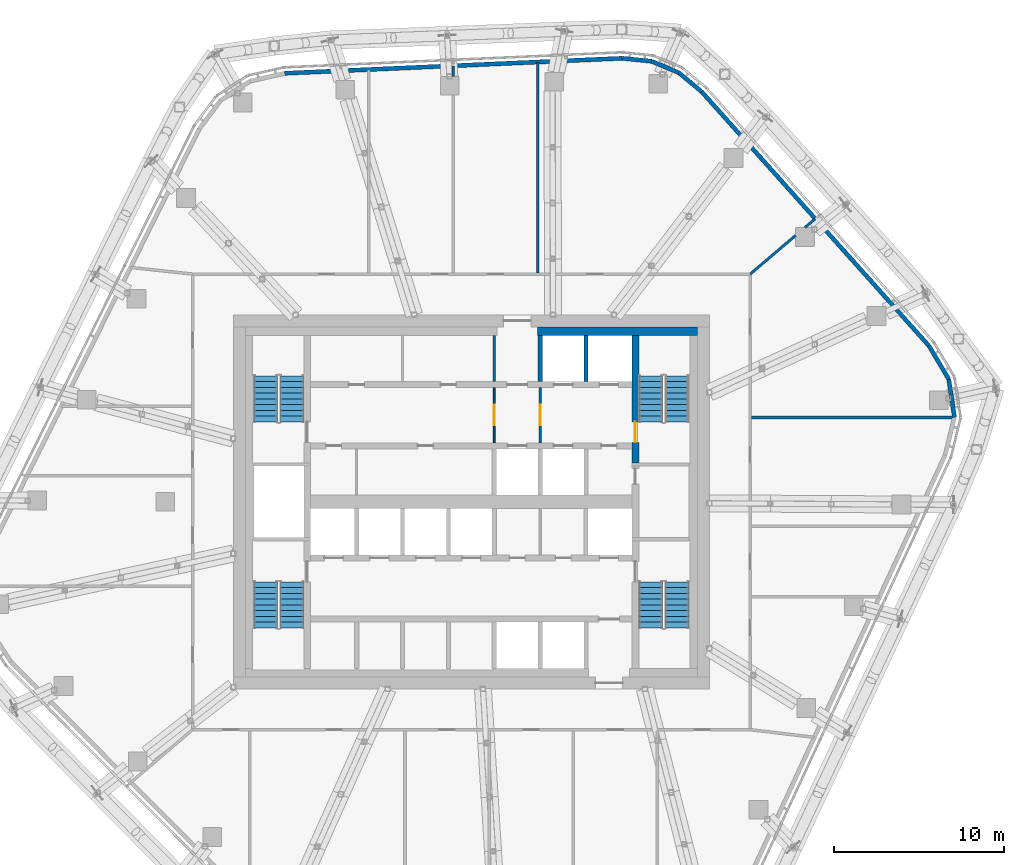
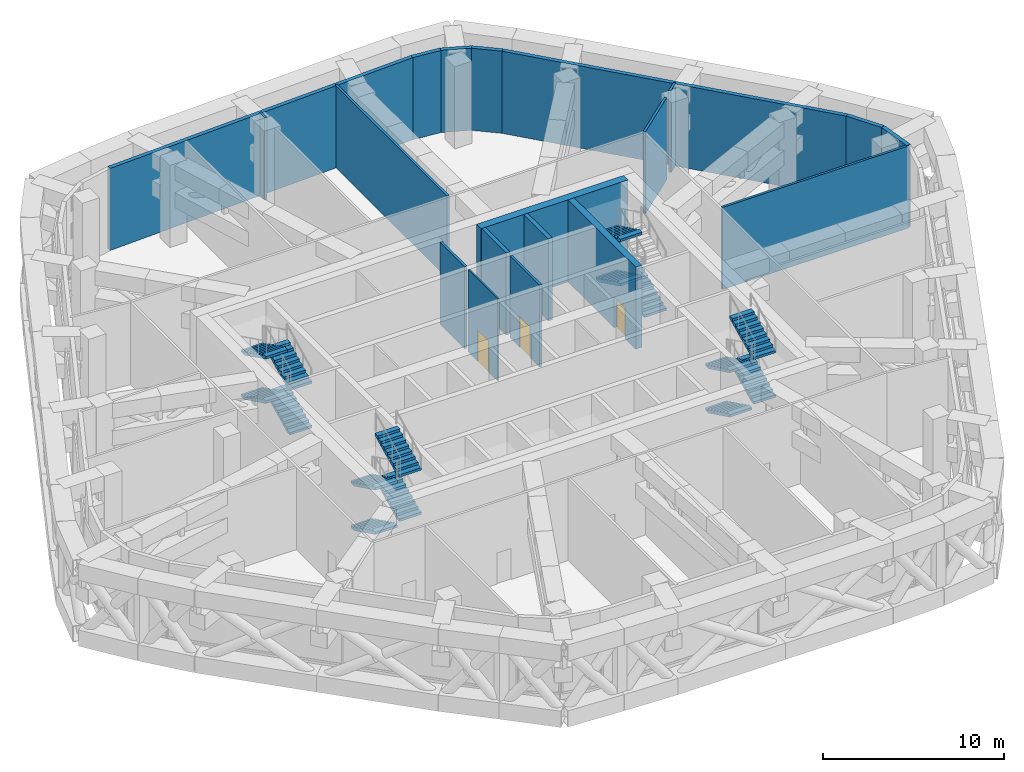
# One storey, part 18 of 31: 19 walls, 15 stair flights, 3 doors, 3 openings, 4 elements without a shape of their own.
"""IFC4 building model written with IfcOpenShell, lengths in metres."""

from ifc_helpers import new_model, si_unit, direction, frame, frame_2d, origin, place, context, subcontext, project, spatial, polyline, rectangle, outline, extrude, material, layer, layer_set, type_object, element, fill, aggregate, save


model = new_model("IFC4")

# Units and contexts
model_context = context("Model", 3, precision=1e-05, world=origin(), true_north=direction((0.0, 1.0)))
body_context = subcontext(model_context, "Body", "Model", "MODEL_VIEW")
ifc_project = project(units=[si_unit("LENGTHUNIT", "METRE"), si_unit("AREAUNIT", "SQUARE_METRE"), si_unit("VOLUMEUNIT", "CUBIC_METRE"), si_unit("PLANEANGLEUNIT", "RADIAN"), si_unit("MASSUNIT", "GRAM", prefix="KILO")], contexts=[model_context])

# Site, building, storey
site_placement = place(None, origin())
site = spatial("IfcSite", under=ifc_project, at=site_placement, CompositionType="ELEMENT")
building_placement = place(site_placement, origin())
building = spatial("IfcBuilding", under=site, at=building_placement, Name="Dongbaek Canopy Tower", CompositionType="ELEMENT")
storey_placement = place(building_placement, frame((0.0, 0.0, 283.199951171875)))
storey = spatial("IfcBuildingStorey", under=building, at=storey_placement, Name="L60", CompositionType="ELEMENT", Elevation=283.199951171875)

# Walls
ifc_material_1 = material(Name="Concrete C60/75", Category="concrete")
ifc_layer_1 = layer(ifc_material_1, 0.5)
ifc_layer_set_1 = layer_set([ifc_layer_1], Name="Core wall lining 500 Concrete C60/75")
wall_type_1 = type_object("IfcWallType", Name="Core wall lining 500 Concrete C60/75", PredefinedType="SHEAR", material=ifc_layer_set_1)
wall_1_placement = place(storey_placement, frame((3.89990234375, 10.050048828125, 0.0), z_axis=(0.0, 0.0, 1.0), x_axis=(1.0, 0.0, 0.0)))
element("IfcWall", 1, at=wall_1_placement, inside=storey, type_object=wall_type_1, Name="Core wall lining", PredefinedType="SHEAR", context=body_context, shape_type="SweptSolid", body=[
    extrude(rectangle(XDim=9.400146484375, YDim=0.5, at=frame_2d((4.7001953125, 0.0))), origin(), (0.0, 0.0, 1.0), 5.550048828125),
])
ifc_material_2 = material(Name="Gypsum board partition, steel stud, 2 x 15 mm fire board", Category="steel")
ifc_layer_2 = layer(ifc_material_2, 0.14990234375)
ifc_layer_set_2 = layer_set([ifc_layer_2], Name="Fire-rated partition 150 gypsum board")
wall_type_2 = type_object("IfcWallType", Name="Fire-rated partition 150 gypsum board", PredefinedType="PARTITIONING", material=ifc_layer_set_2)
wall_2_placement = place(storey_placement, frame((16.47509765625, 4.964111328125, 0.0), z_axis=(0.0, 0.0, 1.0), x_axis=(1.0, 0.0, 0.0)))
element("IfcWall", 2, at=wall_2_placement, inside=storey, type_object=wall_type_2, Name="Corridor partition", PredefinedType="PARTITIONING", context=body_context, shape_type="SweptSolid", body=[
    extrude(rectangle(XDim=11.92529296875, YDim=0.14990234375, at=frame_2d((5.962646484375, 0.0))), origin(), (0.0, 0.0, 1.0), 5.550048828125),
])
wall_3_placement = place(storey_placement, frame((16.400146484375, 13.39990234375, 0.0), z_axis=(0.0, 0.0, 1.0), x_axis=(0.761994228547, 0.647583813618, 0.0)))
element("IfcWall", 3, at=wall_3_placement, inside=storey, type_object=wall_type_2, Name="Corridor partition", PredefinedType="PARTITIONING", context=body_context, shape_type="SweptSolid", body=[
    extrude(rectangle(XDim=3.51025390625, YDim=0.14990234375, at=frame_2d((1.755126953125, 0.0))), origin(), (0.0, 0.0, 1.0), 5.550048828125),
])
wall_4_placement = place(storey_placement, frame((19.6171875, 16.134033203125, 0.0), z_axis=(0.0, 0.0, 1.0), x_axis=(0.762069188158, 0.647495600341, 0.0)))
element("IfcWall", 4, at=wall_4_placement, inside=storey, type_object=wall_type_2, Name="Corridor partition", PredefinedType="PARTITIONING", context=body_context, shape_type="SweptSolid", body=[
    extrude(rectangle(XDim=0.788330078125, YDim=0.14990234375, at=frame_2d((0.39404296875, 0.0))), origin(), (0.0, 0.0, 1.0), 5.550048828125),
])
wall_5_placement = place(storey_placement, frame((3.910888671875, 13.47509765625, 0.0), z_axis=(0.0, 0.0, 1.0), x_axis=(0.0, 1.0, 0.0)))
element("IfcWall", 5, at=wall_5_placement, inside=storey, type_object=wall_type_2, Name="Corridor partition", PredefinedType="PARTITIONING", context=body_context, shape_type="SweptSolid", body=[
    extrude(rectangle(XDim=12.382568359375, YDim=0.14990234375, at=frame_2d((6.19140625, 0.0))), origin(), (0.0, 0.0, 1.0), 5.550048828125),
])
wall_6_placement = place(storey_placement, frame((-1.056884765625, 25.029052734375, 0.0), z_axis=(0.0, 0.0, 1.0), x_axis=(0.0, 1.0, 0.0)))
element("IfcWall", 6, at=wall_6_placement, inside=storey, type_object=wall_type_2, Name="Corridor partition", PredefinedType="PARTITIONING", context=body_context, shape_type="SweptSolid", body=[
    extrude(rectangle(XDim=0.607666015625, YDim=0.14990234375, at=frame_2d((0.3037109375, 0.0))), origin(), (0.0, 0.0, 1.0), 5.550048828125),
])

# Wall, opening, door
wall_7_placement = place(storey_placement, frame((4.050048828125, 6.72509765625, 0.0), z_axis=(0.0, 0.0, 1.0), x_axis=(0.0, -1.0, 0.0)))
wall_7 = element("IfcWall", 7, at=wall_7_placement, inside=storey, type_object=wall_type_2, Name="Fire lobby partition", PredefinedType="PARTITIONING", context=body_context, shape_type="SweptSolid", body=[
    extrude(rectangle(XDim=3.25, YDim=0.14990234375, at=frame_2d((1.625, 0.0))), origin(), (0.0, 0.0, 1.0), 5.550048828125),
])
opening_1_placement = place(wall_7_placement, frame((1.02490234375, 0.0, 0.0)))
opening_1 = element("IfcOpeningElement", 8, at=opening_1_placement, cuts=wall_7, Name="Opening L60-D045", PredefinedType="OPENING", context=body_context, shape_type="SweptSolid", body=[
    extrude(rectangle(XDim=1.199951171875, YDim=2.10009765625, at=frame_2d((0.60009765625, 1.050048828125))), frame((0.0, 0.0849609375, 0.0), z_axis=(0.0, -1.0, 0.0), x_axis=(1.0, 0.0, 0.0)), (0.0, 0.0, 1.0), 0.169921875),
])
ifc_material_3 = material(Name="Steel", Category="steel")
door_type_1 = type_object("IfcDoorType", Name="Fire lobby door 1200 x 2100", OperationType="SINGLE_SWING_LEFT", PredefinedType="DOOR", material=ifc_material_3)
door_1_placement = place(opening_1_placement, origin())
door_1 = element("IfcDoor", 9, at=door_1_placement, inside=storey, type_object=door_type_1, Name="Door L60-D045", OperationType="SINGLE_SWING_RIGHT", OverallHeight=2.10009765625, OverallWidth=1.199951171875, PredefinedType="DOOR", context=body_context, shape_type="SweptSolid", body=[
    extrude(rectangle(XDim=1.199951171875, YDim=2.10009765625, at=frame_2d((0.60009765625, 1.050048828125))), frame((0.0, 0.02490234375, 0.0), z_axis=(0.0, -1.0, 0.0), x_axis=(1.0, 0.0, 0.0)), (0.0, 0.0, 1.0), 0.050048828125),
])
fill(opening_1, door_1)

# Walls
wall_8_placement = place(storey_placement, frame((1.35009765625, 7.074951171875, 0.0), z_axis=(0.0, 0.0, 1.0), x_axis=(0.0, 1.0, 0.0)))
element("IfcWall", 10, at=wall_8_placement, inside=storey, type_object=wall_type_2, Name="Fire lobby partition", PredefinedType="PARTITIONING", context=body_context, shape_type="SweptSolid", body=[
    extrude(rectangle(XDim=2.72509765625, YDim=0.14990234375, at=frame_2d((1.362548828125, 0.0))), origin(), (0.0, 0.0, 1.0), 5.550048828125),
])
ifc_material_4 = material(Name="Concrete C40/50", Category="concrete")
ifc_layer_3 = layer(ifc_material_4, 0.25)
ifc_layer_set_3 = layer_set([ifc_layer_3], Name="Lift shaft wall 250 Concrete C40/50")
wall_type_3 = type_object("IfcWallType", Name="Lift shaft wall 250 Concrete C40/50", PredefinedType="SOLIDWALL", material=ifc_layer_set_3)
for number, where, z_axis, x_axis, name in (
    (11, (6.75, 7.074951171875, 0.0), (0.0, 0.0, 1.0), (0.0, 1.0, 0.0), "Lift shaft wall"),
    (12, (4.050048828125, 7.074951171875, 0.0), (0.0, 0.0, 1.0), (0.0, 1.0, 0.0), "Lift shaft wall"),
):
    element("IfcWall", number, at=place(storey_placement, frame(where, z_axis=z_axis, x_axis=x_axis)), inside=storey, type_object=wall_type_3, Name=name, PredefinedType="SOLIDWALL", context=body_context, shape_type="SweptSolid", body=[
        extrude(rectangle(XDim=2.72509765625, YDim=0.25, at=frame_2d((1.362548828125, 0.0))), origin(), (0.0, 0.0, 1.0), 5.550048828125),
    ])

# Wall, opening, door
ifc_material_5 = material(Name="Gypsum board partition, steel stud, 2 x 12.5 mm board", Category="steel")
ifc_layer_4 = layer(ifc_material_5, 0.10009765625)
ifc_layer_set_4 = layer_set([ifc_layer_4], Name="Partition 100 gypsum board")
wall_type_4 = type_object("IfcWallType", Name="Partition 100 gypsum board", PredefinedType="PARTITIONING", material=ifc_layer_set_4)
wall_9_placement = place(storey_placement, frame((1.35009765625, 6.72509765625, 0.0), z_axis=(0.0, 0.0, 1.0), x_axis=(0.0, -1.0, 0.0)))
wall_9 = element("IfcWall", 13, at=wall_9_placement, inside=storey, type_object=wall_type_4, Name="Core partition", PredefinedType="PARTITIONING", context=body_context, shape_type="SweptSolid", body=[
    extrude(rectangle(XDim=3.25, YDim=0.10009765625, at=frame_2d((1.625, 0.0))), origin(), (0.0, 0.0, 1.0), 5.550048828125),
])
opening_2_placement = place(wall_9_placement, frame((1.02490234375, 0.0, 0.0)))
opening_2 = element("IfcOpeningElement", 14, at=opening_2_placement, cuts=wall_9, Name="Opening L60-D044", PredefinedType="OPENING", context=body_context, shape_type="SweptSolid", body=[
    extrude(rectangle(XDim=1.199951171875, YDim=2.10009765625, at=frame_2d((0.60009765625, 1.050048828125))), frame((0.0, 0.06005859375, 0.0), z_axis=(0.0, -1.0, 0.0), x_axis=(1.0, 0.0, 0.0)), (0.0, 0.0, 1.0), 0.1201171875),
])
door_2_placement = place(opening_2_placement, origin())
door_2 = element("IfcDoor", 15, at=door_2_placement, inside=storey, type_object=door_type_1, Name="Door L60-D044", OperationType="SINGLE_SWING_LEFT", OverallHeight=2.10009765625, OverallWidth=1.199951171875, PredefinedType="DOOR", context=body_context, shape_type="SweptSolid", body=[
    extrude(rectangle(XDim=1.199951171875, YDim=2.10009765625, at=frame_2d((0.60009765625, 1.050048828125))), frame((0.0, 0.02490234375, 0.0), z_axis=(0.0, -1.0, 0.0), x_axis=(1.0, 0.0, 0.0)), (0.0, 0.0, 1.0), 0.050048828125),
])
fill(opening_2, door_2)

# Walls
ifc_material_6 = material(Name="Pale metal cladding on insulated wall")
ifc_layer_5 = layer(ifc_material_6, 0.25)
ifc_layer_set_5 = layer_set([ifc_layer_5], Name="Plant floor wall 250")
wall_type_5 = type_object("IfcWallType", Name="Plant floor wall 250", PredefinedType="SOLIDWALL", material=ifc_layer_set_5)
wall_10_placement = place(storey_placement, frame((28.421875, 4.968994140625, 0.0), z_axis=(0.0, 0.0, 1.0), x_axis=(-0.147358250541, 0.989083184569, 0.0)))
element("IfcWall", 16, at=wall_10_placement, inside=storey, type_object=wall_type_5, Name="Plant wall L60 K0 2", PredefinedType="SOLIDWALL", context=body_context, shape_type="SweptSolid", body=[
    extrude(rectangle(XDim=2.273193359375, YDim=0.25, at=frame_2d((1.13671875, 0.0))), origin(), (0.0, 0.0, 1.0), 5.550048828125),
])
wall_11_placement = place(storey_placement, frame((28.0869140625, 7.21728515625, 0.0), z_axis=(0.0, 0.0, 1.0), x_axis=(-0.510590635496, 0.859823937178, 0.0)))
element("IfcWall", 17, at=wall_11_placement, inside=storey, type_object=wall_type_5, Name="Plant wall L60 K0 3", PredefinedType="SOLIDWALL", context=body_context, shape_type="SweptSolid", body=[
    extrude(rectangle(XDim=2.283203125, YDim=0.25, at=frame_2d((1.1416015625, 0.0))), origin(), (0.0, 0.0, 1.0), 5.550048828125),
])
wall_12_placement = place(storey_placement, frame((26.921142578125, 9.180419921875, 0.0), z_axis=(0.0, 0.0, 1.0), x_axis=(-0.666670693315, 0.745352390936, 0.0)))
element("IfcWall", 18, at=wall_12_placement, inside=storey, type_object=wall_type_5, Name="Plant wall L60 F0 1", PredefinedType="SOLIDWALL", context=body_context, shape_type="SweptSolid", body=[
    extrude(rectangle(XDim=20.060302734375, YDim=0.25, at=frame_2d((10.0302734375, 0.0))), origin(), (0.0, 0.0, 1.0), 5.550048828125),
])
wall_13_placement = place(storey_placement, frame((13.547607421875, 24.13232421875, 0.0), z_axis=(0.0, 0.0, 1.0), x_axis=(-0.769001728145, 0.639246698943, 0.0)))
element("IfcWall", 19, at=wall_13_placement, inside=storey, type_object=wall_type_5, Name="Plant wall L60 K1 1", PredefinedType="SOLIDWALL", context=body_context, shape_type="SweptSolid", body=[
    extrude(rectangle(XDim=1.742431640625, YDim=0.25, at=frame_2d((0.87109375, 0.0))), origin(), (0.0, 0.0, 1.0), 5.550048828125),
])
wall_14_placement = place(storey_placement, frame((12.207763671875, 25.24609375, 0.0), z_axis=(0.0, 0.0, 1.0), x_axis=(-0.921730707326, 0.387830508304, 0.0)))
element("IfcWall", 20, at=wall_14_placement, inside=storey, type_object=wall_type_5, Name="Plant wall L60 K1 2", PredefinedType="SOLIDWALL", context=body_context, shape_type="SweptSolid", body=[
    extrude(rectangle(XDim=1.73486328125, YDim=0.25, at=frame_2d((0.867431640625, 0.0))), origin(), (0.0, 0.0, 1.0), 5.550048828125),
])
wall_15_placement = place(storey_placement, frame((10.608642578125, 25.9189453125, 0.0), z_axis=(0.0, 0.0, 1.0), x_axis=(-0.99468140225, 0.102999553487, 0.0)))
element("IfcWall", 21, at=wall_15_placement, inside=storey, type_object=wall_type_5, Name="Plant wall L60 K1 3", PredefinedType="SOLIDWALL", context=body_context, shape_type="SweptSolid", body=[
    extrude(rectangle(XDim=1.7421875, YDim=0.25, at=frame_2d((0.87109375, 0.0))), origin(), (0.0, 0.0, 1.0), 5.550048828125),
])
wall_16_placement = place(storey_placement, frame((8.875732421875, 26.098388671875, 0.0), z_axis=(0.0, 0.0, 1.0), x_axis=(-0.999012910202, -0.044420774975, 0.0)))
element("IfcWall", 22, at=wall_16_placement, inside=storey, type_object=wall_type_5, Name="Plant wall L60 F1 1", PredefinedType="SOLIDWALL", context=body_context, shape_type="SweptSolid", body=[
    extrude(rectangle(XDim=19.873779296875, YDim=0.25, at=frame_2d((9.93701171875, 0.0))), origin(), (0.0, 0.0, 1.0), 5.550048828125),
])

# Wall, opening, door
ifc_material_7 = material(Name="Concrete C60/75", Category="concrete")
ifc_layer_6 = layer(ifc_material_7, 0.39990234375)
ifc_layer_set_6 = layer_set([ifc_layer_6], Name="Stair wall 400 Concrete C60/75")
wall_type_6 = type_object("IfcWallType", Name="Stair wall 400 Concrete C60/75", PredefinedType="SHEAR", material=ifc_layer_set_6)
wall_17_placement = place(storey_placement, frame((9.64990234375, 9.800048828125, 0.0), z_axis=(0.0, 0.0, 1.0), x_axis=(0.0, -1.0, 0.0)))
wall_17 = element("IfcWall", 23, at=wall_17_placement, inside=storey, type_object=wall_type_6, Name="Stair wall", PredefinedType="SHEAR", context=body_context, shape_type="SweptSolid", body=[
    extrude(rectangle(XDim=7.5, YDim=0.39990234375, at=frame_2d((3.75, 0.0))), origin(), (0.0, 0.0, 1.0), 5.550048828125),
])
opening_3_placement = place(wall_17_placement, frame((5.10009765625, 0.0, 0.0)))
opening_3 = element("IfcOpeningElement", 24, at=opening_3_placement, cuts=wall_17, Name="Opening L60-D040", PredefinedType="OPENING", context=body_context, shape_type="SweptSolid", body=[
    extrude(rectangle(XDim=1.199951171875, YDim=2.10009765625, at=frame_2d((0.60009765625, 1.050048828125))), frame((0.0, 0.2099609375, 0.0), z_axis=(0.0, -1.0, 0.0), x_axis=(1.0, 0.0, 0.0)), (0.0, 0.0, 1.0), 0.419921875),
])
ifc_material_8 = material(Name="Steel", Category="steel")
door_type_2 = type_object("IfcDoorType", Name="Stair door 1200 x 2100", OperationType="SINGLE_SWING_LEFT", PredefinedType="DOOR", material=ifc_material_8)
door_3_placement = place(opening_3_placement, origin())
door_3 = element("IfcDoor", 25, at=door_3_placement, inside=storey, type_object=door_type_2, Name="Stair A door", OperationType="SINGLE_SWING_LEFT", OverallHeight=2.10009765625, OverallWidth=1.199951171875, PredefinedType="DOOR", context=body_context, shape_type="SweptSolid", body=[
    extrude(rectangle(XDim=1.199951171875, YDim=2.10009765625, at=frame_2d((0.60009765625, 1.050048828125))), frame((0.0, 0.02490234375, 0.0), z_axis=(0.0, -1.0, 0.0), x_axis=(1.0, 0.0, 0.0)), (0.0, 0.0, 1.0), 0.050048828125),
])
fill(opening_3, door_3)

# Stair, stair flights
ifc_material_9 = material(Name="Concrete C40/50", Category="concrete")
stair_type = type_object("IfcStairType", Name="Core exit stair", PredefinedType="HALF_TURN_STAIR", material=ifc_material_9)
stair_1_placement = place(storey_placement, origin())
stair_1 = element("IfcStair", 26, at=stair_1_placement, inside=storey, type_object=stair_type, Name="L60 exit stair A", PredefinedType="HALF_TURN_STAIR")
ifc_material_10 = material(Name="Concrete C40/50", Category="concrete")
ifc_layer_7 = layer(ifc_material_10, 0.14990234375)
ifc_layer_set_7 = layer_set([ifc_layer_7], Name="Core stair flight 150 waist")
stair_flight_type = type_object("IfcStairFlightType", Name="Core stair flight 150 waist", PredefinedType="STRAIGHT", material=ifc_layer_set_7)
stair_flight_1_placement = place(storey_placement, frame((12.10009765625, 4.699951171875, 0.0), z_axis=(0.0, 0.0, 1.0), x_axis=(0.0, 1.0, 0.0)))
stair_flight_1 = element("IfcStairFlight", 27, at=stair_flight_1_placement, type_object=stair_flight_type, Name="ST-A flight 1", NumberOfRisers=9, NumberOfTreads=8, PredefinedType="STRAIGHT", RiserHeight=0.166666667, TreadLength=0.34, context=body_context, shape_type="SweptSolid", body=[
    extrude(outline(polyline([(0.0, 0.0), (0.0, 0.166748046875), (0.340087890625, 0.166748046875), (0.340087890625, 0.333251953125), (0.679931640625, 0.333251953125), (0.679931640625, 0.5), (1.02001953125, 0.5), (1.02001953125, 0.666748046875), (1.360107421875, 0.666748046875), (1.360107421875, 0.833251953125), (1.699951171875, 0.833251953125), (1.699951171875, 1.0), (2.0400390625, 1.0), (2.0400390625, 1.166748046875), (2.3798828125, 1.166748046875), (2.3798828125, 1.333251953125), (2.719970703125, 1.333251953125), (2.719970703125, 1.5), (2.719970703125, 1.16650390625), (0.340576171875, 0.0), (0.0, 0.0)])), frame((0.0, 0.699951171875, 0.0), z_axis=(0.0, -1.0, 0.0), x_axis=(1.0, 0.0, 0.0)), (0.0, 0.0, 1.0), 1.39990234375),
])
stair_flight_2_placement = place(storey_placement, frame((10.550048828125, 7.419921875, 1.5), z_axis=(0.0, 0.0, 1.0), x_axis=(0.0, -1.0, 0.0)))
stair_flight_2 = element("IfcStairFlight", 28, at=stair_flight_2_placement, type_object=stair_flight_type, Name="ST-A flight 2", NumberOfRisers=9, NumberOfTreads=8, PredefinedType="STRAIGHT", RiserHeight=0.166666667, TreadLength=0.34, context=body_context, shape_type="SweptSolid", body=[
    extrude(outline(polyline([(0.0, 0.0), (0.0, 0.166748046875), (0.340087890625, 0.166748046875), (0.340087890625, 0.333251953125), (0.679931640625, 0.333251953125), (0.679931640625, 0.5), (1.02001953125, 0.5), (1.02001953125, 0.666748046875), (1.360107421875, 0.666748046875), (1.360107421875, 0.833251953125), (1.699951171875, 0.833251953125), (1.699951171875, 1.0), (2.0400390625, 1.0), (2.0400390625, 1.166748046875), (2.3798828125, 1.166748046875), (2.3798828125, 1.333251953125), (2.719970703125, 1.333251953125), (2.719970703125, 1.5), (2.719970703125, 1.16650390625), (0.340576171875, 0.0), (0.0, 0.0)])), frame((0.0, 0.699951171875, 0.0), z_axis=(0.0, -1.0, 0.0), x_axis=(1.0, 0.0, 0.0)), (0.0, 0.0, 1.0), 1.39990234375),
])
stair_flight_3_placement = place(storey_placement, frame((10.550048828125, 7.419921875, 4.5), z_axis=(0.0, 0.0, 1.0), x_axis=(0.0, -1.0, 0.0)))
stair_flight_3 = element("IfcStairFlight", 29, at=stair_flight_3_placement, type_object=stair_flight_type, Name="ST-A flight 4", NumberOfRisers=9, NumberOfTreads=8, PredefinedType="STRAIGHT", RiserHeight=0.166666667, TreadLength=0.34, context=body_context, shape_type="SweptSolid", body=[
    extrude(outline(polyline([(0.0, 0.0), (0.0, 0.166748046875), (0.340087890625, 0.166748046875), (0.340087890625, 0.333251953125), (0.679931640625, 0.333251953125), (0.679931640625, 0.5), (1.02001953125, 0.5), (1.02001953125, 0.666748046875), (1.360107421875, 0.666748046875), (1.360107421875, 0.833251953125), (1.699951171875, 0.833251953125), (1.699951171875, 1.0), (2.0400390625, 1.0), (2.0400390625, 1.166748046875), (2.3798828125, 1.166748046875), (2.3798828125, 1.333251953125), (2.719970703125, 1.333251953125), (2.719970703125, 1.5), (2.719970703125, 1.16650390625), (0.340576171875, 0.0), (0.0, 0.0)])), frame((0.0, 0.699951171875, 0.0), z_axis=(0.0, -1.0, 0.0), x_axis=(1.0, 0.0, 0.0)), (0.0, 0.0, 1.0), 1.39990234375),
])
aggregate(stair_1, [stair_flight_1, stair_flight_2, stair_flight_3])

stair_2_placement = place(storey_placement, origin())
stair_2 = element("IfcStair", 30, at=stair_2_placement, inside=storey, type_object=stair_type, Name="L60 exit stair C", PredefinedType="HALF_TURN_STAIR")
stair_flight_4_placement = place(storey_placement, frame((-10.550048828125, 4.699951171875, 0.0), z_axis=(0.0, 0.0, 1.0), x_axis=(0.0, 1.0, 0.0)))
stair_flight_4 = element("IfcStairFlight", 31, at=stair_flight_4_placement, type_object=stair_flight_type, Name="ST-C flight 1", NumberOfRisers=9, NumberOfTreads=8, PredefinedType="STRAIGHT", RiserHeight=0.166666667, TreadLength=0.34, context=body_context, shape_type="SweptSolid", body=[
    extrude(outline(polyline([(0.0, 0.0), (0.0, 0.166748046875), (0.340087890625, 0.166748046875), (0.340087890625, 0.333251953125), (0.679931640625, 0.333251953125), (0.679931640625, 0.5), (1.02001953125, 0.5), (1.02001953125, 0.666748046875), (1.360107421875, 0.666748046875), (1.360107421875, 0.833251953125), (1.699951171875, 0.833251953125), (1.699951171875, 1.0), (2.0400390625, 1.0), (2.0400390625, 1.166748046875), (2.3798828125, 1.166748046875), (2.3798828125, 1.333251953125), (2.719970703125, 1.333251953125), (2.719970703125, 1.5), (2.719970703125, 1.16650390625), (0.340576171875, 0.0), (0.0, 0.0)])), frame((0.0, 0.699951171875, 0.0), z_axis=(0.0, -1.0, 0.0), x_axis=(1.0, 0.0, 0.0)), (0.0, 0.0, 1.0), 1.39990234375),
])
stair_flight_5_placement = place(storey_placement, frame((-12.10009765625, 7.419921875, 1.5), z_axis=(0.0, 0.0, 1.0), x_axis=(0.0, -1.0, 0.0)))
stair_flight_5 = element("IfcStairFlight", 32, at=stair_flight_5_placement, type_object=stair_flight_type, Name="ST-C flight 2", NumberOfRisers=9, NumberOfTreads=8, PredefinedType="STRAIGHT", RiserHeight=0.166666667, TreadLength=0.34, context=body_context, shape_type="SweptSolid", body=[
    extrude(outline(polyline([(0.0, 0.0), (0.0, 0.166748046875), (0.340087890625, 0.166748046875), (0.340087890625, 0.333251953125), (0.679931640625, 0.333251953125), (0.679931640625, 0.5), (1.02001953125, 0.5), (1.02001953125, 0.666748046875), (1.360107421875, 0.666748046875), (1.360107421875, 0.833251953125), (1.699951171875, 0.833251953125), (1.699951171875, 1.0), (2.0400390625, 1.0), (2.0400390625, 1.166748046875), (2.3798828125, 1.166748046875), (2.3798828125, 1.333251953125), (2.719970703125, 1.333251953125), (2.719970703125, 1.5), (2.719970703125, 1.16650390625), (0.340576171875, 0.0), (0.0, 0.0)])), frame((0.0, 0.699951171875, 0.0), z_axis=(0.0, -1.0, 0.0), x_axis=(1.0, 0.0, 0.0)), (0.0, 0.0, 1.0), 1.39990234375),
])
stair_flight_6_placement = place(storey_placement, frame((-10.550048828125, 4.699951171875, 3.0), z_axis=(0.0, 0.0, 1.0), x_axis=(0.0, 1.0, 0.0)))
stair_flight_6 = element("IfcStairFlight", 33, at=stair_flight_6_placement, type_object=stair_flight_type, Name="ST-C flight 3", NumberOfRisers=9, NumberOfTreads=8, PredefinedType="STRAIGHT", RiserHeight=0.166666667, TreadLength=0.34, context=body_context, shape_type="SweptSolid", body=[
    extrude(outline(polyline([(0.0, 0.0), (0.0, 0.166748046875), (0.340087890625, 0.166748046875), (0.340087890625, 0.333251953125), (0.679931640625, 0.333251953125), (0.679931640625, 0.5), (1.02001953125, 0.5), (1.02001953125, 0.666748046875), (1.360107421875, 0.666748046875), (1.360107421875, 0.833251953125), (1.699951171875, 0.833251953125), (1.699951171875, 1.0), (2.0400390625, 1.0), (2.0400390625, 1.166748046875), (2.3798828125, 1.166748046875), (2.3798828125, 1.333251953125), (2.719970703125, 1.333251953125), (2.719970703125, 1.5), (2.719970703125, 1.16650390625), (0.340576171875, 0.0), (0.0, 0.0)])), frame((0.0, 0.699951171875, 0.0), z_axis=(0.0, -1.0, 0.0), x_axis=(1.0, 0.0, 0.0)), (0.0, 0.0, 1.0), 1.39990234375),
])
stair_flight_7_placement = place(storey_placement, frame((-12.10009765625, 7.419921875, 4.5), z_axis=(0.0, 0.0, 1.0), x_axis=(0.0, -1.0, 0.0)))
stair_flight_7 = element("IfcStairFlight", 34, at=stair_flight_7_placement, type_object=stair_flight_type, Name="ST-C flight 4", NumberOfRisers=9, NumberOfTreads=8, PredefinedType="STRAIGHT", RiserHeight=0.166666667, TreadLength=0.34, context=body_context, shape_type="SweptSolid", body=[
    extrude(outline(polyline([(0.0, 0.0), (0.0, 0.166748046875), (0.340087890625, 0.166748046875), (0.340087890625, 0.333251953125), (0.679931640625, 0.333251953125), (0.679931640625, 0.5), (1.02001953125, 0.5), (1.02001953125, 0.666748046875), (1.360107421875, 0.666748046875), (1.360107421875, 0.833251953125), (1.699951171875, 0.833251953125), (1.699951171875, 1.0), (2.0400390625, 1.0), (2.0400390625, 1.166748046875), (2.3798828125, 1.166748046875), (2.3798828125, 1.333251953125), (2.719970703125, 1.333251953125), (2.719970703125, 1.5), (2.719970703125, 1.16650390625), (0.340576171875, 0.0), (0.0, 0.0)])), frame((0.0, 0.699951171875, 0.0), z_axis=(0.0, -1.0, 0.0), x_axis=(1.0, 0.0, 0.0)), (0.0, 0.0, 1.0), 1.39990234375),
])
aggregate(stair_2, [stair_flight_4, stair_flight_5, stair_flight_6, stair_flight_7])

stair_3_placement = place(storey_placement, origin())
stair_3 = element("IfcStair", 35, at=stair_3_placement, inside=storey, type_object=stair_type, Name="L60 exit stair B", PredefinedType="HALF_TURN_STAIR")
stair_flight_8_placement = place(storey_placement, frame((10.550048828125, -4.699951171875, 0.0), z_axis=(0.0, 0.0, 1.0), x_axis=(0.0, -1.0, 0.0)))
stair_flight_8 = element("IfcStairFlight", 36, at=stair_flight_8_placement, type_object=stair_flight_type, Name="ST-B flight 1", NumberOfRisers=9, NumberOfTreads=8, PredefinedType="STRAIGHT", RiserHeight=0.166666667, TreadLength=0.34, context=body_context, shape_type="SweptSolid", body=[
    extrude(outline(polyline([(0.0, 0.0), (0.0, 0.166748046875), (0.340087890625, 0.166748046875), (0.340087890625, 0.333251953125), (0.679931640625, 0.333251953125), (0.679931640625, 0.5), (1.02001953125, 0.5), (1.02001953125, 0.666748046875), (1.360107421875, 0.666748046875), (1.360107421875, 0.833251953125), (1.699951171875, 0.833251953125), (1.699951171875, 1.0), (2.0400390625, 1.0), (2.0400390625, 1.166748046875), (2.3798828125, 1.166748046875), (2.3798828125, 1.333251953125), (2.719970703125, 1.333251953125), (2.719970703125, 1.5), (2.719970703125, 1.16650390625), (0.340576171875, 0.0), (0.0, 0.0)])), frame((0.0, 0.699951171875, 0.0), z_axis=(0.0, -1.0, 0.0), x_axis=(1.0, 0.0, 0.0)), (0.0, 0.0, 1.0), 1.39990234375),
])
stair_flight_9_placement = place(storey_placement, frame((12.10009765625, -7.419921875, 1.5), z_axis=(0.0, 0.0, 1.0), x_axis=(0.0, 1.0, 0.0)))
stair_flight_9 = element("IfcStairFlight", 37, at=stair_flight_9_placement, type_object=stair_flight_type, Name="ST-B flight 2", NumberOfRisers=9, NumberOfTreads=8, PredefinedType="STRAIGHT", RiserHeight=0.166666667, TreadLength=0.34, context=body_context, shape_type="SweptSolid", body=[
    extrude(outline(polyline([(0.0, 0.0), (0.0, 0.166748046875), (0.340087890625, 0.166748046875), (0.340087890625, 0.333251953125), (0.679931640625, 0.333251953125), (0.679931640625, 0.5), (1.02001953125, 0.5), (1.02001953125, 0.666748046875), (1.360107421875, 0.666748046875), (1.360107421875, 0.833251953125), (1.699951171875, 0.833251953125), (1.699951171875, 1.0), (2.0400390625, 1.0), (2.0400390625, 1.166748046875), (2.3798828125, 1.166748046875), (2.3798828125, 1.333251953125), (2.719970703125, 1.333251953125), (2.719970703125, 1.5), (2.719970703125, 1.16650390625), (0.340576171875, 0.0), (0.0, 0.0)])), frame((0.0, 0.699951171875, 0.0), z_axis=(0.0, -1.0, 0.0), x_axis=(1.0, 0.0, 0.0)), (0.0, 0.0, 1.0), 1.39990234375),
])
stair_flight_10_placement = place(storey_placement, frame((10.550048828125, -4.699951171875, 3.0), z_axis=(0.0, 0.0, 1.0), x_axis=(0.0, -1.0, 0.0)))
stair_flight_10 = element("IfcStairFlight", 38, at=stair_flight_10_placement, type_object=stair_flight_type, Name="ST-B flight 3", NumberOfRisers=9, NumberOfTreads=8, PredefinedType="STRAIGHT", RiserHeight=0.166666667, TreadLength=0.34, context=body_context, shape_type="SweptSolid", body=[
    extrude(outline(polyline([(0.0, 0.0), (0.0, 0.166748046875), (0.340087890625, 0.166748046875), (0.340087890625, 0.333251953125), (0.679931640625, 0.333251953125), (0.679931640625, 0.5), (1.02001953125, 0.5), (1.02001953125, 0.666748046875), (1.360107421875, 0.666748046875), (1.360107421875, 0.833251953125), (1.699951171875, 0.833251953125), (1.699951171875, 1.0), (2.0400390625, 1.0), (2.0400390625, 1.166748046875), (2.3798828125, 1.166748046875), (2.3798828125, 1.333251953125), (2.719970703125, 1.333251953125), (2.719970703125, 1.5), (2.719970703125, 1.16650390625), (0.340576171875, 0.0), (0.0, 0.0)])), frame((0.0, 0.699951171875, 0.0), z_axis=(0.0, -1.0, 0.0), x_axis=(1.0, 0.0, 0.0)), (0.0, 0.0, 1.0), 1.39990234375),
])
stair_flight_11_placement = place(storey_placement, frame((12.10009765625, -7.419921875, 4.5), z_axis=(0.0, 0.0, 1.0), x_axis=(0.0, 1.0, 0.0)))
stair_flight_11 = element("IfcStairFlight", 39, at=stair_flight_11_placement, type_object=stair_flight_type, Name="ST-B flight 4", NumberOfRisers=9, NumberOfTreads=8, PredefinedType="STRAIGHT", RiserHeight=0.166666667, TreadLength=0.34, context=body_context, shape_type="SweptSolid", body=[
    extrude(outline(polyline([(0.0, 0.0), (0.0, 0.166748046875), (0.340087890625, 0.166748046875), (0.340087890625, 0.333251953125), (0.679931640625, 0.333251953125), (0.679931640625, 0.5), (1.02001953125, 0.5), (1.02001953125, 0.666748046875), (1.360107421875, 0.666748046875), (1.360107421875, 0.833251953125), (1.699951171875, 0.833251953125), (1.699951171875, 1.0), (2.0400390625, 1.0), (2.0400390625, 1.166748046875), (2.3798828125, 1.166748046875), (2.3798828125, 1.333251953125), (2.719970703125, 1.333251953125), (2.719970703125, 1.5), (2.719970703125, 1.16650390625), (0.340576171875, 0.0), (0.0, 0.0)])), frame((0.0, 0.699951171875, 0.0), z_axis=(0.0, -1.0, 0.0), x_axis=(1.0, 0.0, 0.0)), (0.0, 0.0, 1.0), 1.39990234375),
])
aggregate(stair_3, [stair_flight_8, stair_flight_9, stair_flight_10, stair_flight_11])

stair_4_placement = place(storey_placement, origin())
stair_4 = element("IfcStair", 40, at=stair_4_placement, inside=storey, type_object=stair_type, Name="L60 exit stair D", PredefinedType="HALF_TURN_STAIR")
stair_flight_12_placement = place(storey_placement, frame((-12.10009765625, -4.699951171875, 0.0), z_axis=(0.0, 0.0, 1.0), x_axis=(0.0, -1.0, 0.0)))
stair_flight_12 = element("IfcStairFlight", 41, at=stair_flight_12_placement, type_object=stair_flight_type, Name="ST-D flight 1", NumberOfRisers=9, NumberOfTreads=8, PredefinedType="STRAIGHT", RiserHeight=0.166666667, TreadLength=0.34, context=body_context, shape_type="SweptSolid", body=[
    extrude(outline(polyline([(0.0, 0.0), (0.0, 0.166748046875), (0.340087890625, 0.166748046875), (0.340087890625, 0.333251953125), (0.679931640625, 0.333251953125), (0.679931640625, 0.5), (1.02001953125, 0.5), (1.02001953125, 0.666748046875), (1.360107421875, 0.666748046875), (1.360107421875, 0.833251953125), (1.699951171875, 0.833251953125), (1.699951171875, 1.0), (2.0400390625, 1.0), (2.0400390625, 1.166748046875), (2.3798828125, 1.166748046875), (2.3798828125, 1.333251953125), (2.719970703125, 1.333251953125), (2.719970703125, 1.5), (2.719970703125, 1.16650390625), (0.340576171875, 0.0), (0.0, 0.0)])), frame((0.0, 0.699951171875, 0.0), z_axis=(0.0, -1.0, 0.0), x_axis=(1.0, 0.0, 0.0)), (0.0, 0.0, 1.0), 1.39990234375),
])
stair_flight_13_placement = place(storey_placement, frame((-10.550048828125, -7.419921875, 1.5), z_axis=(0.0, 0.0, 1.0), x_axis=(0.0, 1.0, 0.0)))
stair_flight_13 = element("IfcStairFlight", 42, at=stair_flight_13_placement, type_object=stair_flight_type, Name="ST-D flight 2", NumberOfRisers=9, NumberOfTreads=8, PredefinedType="STRAIGHT", RiserHeight=0.166666667, TreadLength=0.34, context=body_context, shape_type="SweptSolid", body=[
    extrude(outline(polyline([(0.0, 0.0), (0.0, 0.166748046875), (0.340087890625, 0.166748046875), (0.340087890625, 0.333251953125), (0.679931640625, 0.333251953125), (0.679931640625, 0.5), (1.02001953125, 0.5), (1.02001953125, 0.666748046875), (1.360107421875, 0.666748046875), (1.360107421875, 0.833251953125), (1.699951171875, 0.833251953125), (1.699951171875, 1.0), (2.0400390625, 1.0), (2.0400390625, 1.166748046875), (2.3798828125, 1.166748046875), (2.3798828125, 1.333251953125), (2.719970703125, 1.333251953125), (2.719970703125, 1.5), (2.719970703125, 1.16650390625), (0.340576171875, 0.0), (0.0, 0.0)])), frame((0.0, 0.699951171875, 0.0), z_axis=(0.0, -1.0, 0.0), x_axis=(1.0, 0.0, 0.0)), (0.0, 0.0, 1.0), 1.39990234375),
])
stair_flight_14_placement = place(storey_placement, frame((-12.10009765625, -4.699951171875, 3.0), z_axis=(0.0, 0.0, 1.0), x_axis=(0.0, -1.0, 0.0)))
stair_flight_14 = element("IfcStairFlight", 43, at=stair_flight_14_placement, type_object=stair_flight_type, Name="ST-D flight 3", NumberOfRisers=9, NumberOfTreads=8, PredefinedType="STRAIGHT", RiserHeight=0.166666667, TreadLength=0.34, context=body_context, shape_type="SweptSolid", body=[
    extrude(outline(polyline([(0.0, 0.0), (0.0, 0.166748046875), (0.340087890625, 0.166748046875), (0.340087890625, 0.333251953125), (0.679931640625, 0.333251953125), (0.679931640625, 0.5), (1.02001953125, 0.5), (1.02001953125, 0.666748046875), (1.360107421875, 0.666748046875), (1.360107421875, 0.833251953125), (1.699951171875, 0.833251953125), (1.699951171875, 1.0), (2.0400390625, 1.0), (2.0400390625, 1.166748046875), (2.3798828125, 1.166748046875), (2.3798828125, 1.333251953125), (2.719970703125, 1.333251953125), (2.719970703125, 1.5), (2.719970703125, 1.16650390625), (0.340576171875, 0.0), (0.0, 0.0)])), frame((0.0, 0.699951171875, 0.0), z_axis=(0.0, -1.0, 0.0), x_axis=(1.0, 0.0, 0.0)), (0.0, 0.0, 1.0), 1.39990234375),
])
stair_flight_15_placement = place(storey_placement, frame((-10.550048828125, -7.419921875, 4.5), z_axis=(0.0, 0.0, 1.0), x_axis=(0.0, 1.0, 0.0)))
stair_flight_15 = element("IfcStairFlight", 44, at=stair_flight_15_placement, type_object=stair_flight_type, Name="ST-D flight 4", NumberOfRisers=9, NumberOfTreads=8, PredefinedType="STRAIGHT", RiserHeight=0.166666667, TreadLength=0.34, context=body_context, shape_type="SweptSolid", body=[
    extrude(outline(polyline([(0.0, 0.0), (0.0, 0.166748046875), (0.340087890625, 0.166748046875), (0.340087890625, 0.333251953125), (0.679931640625, 0.333251953125), (0.679931640625, 0.5), (1.02001953125, 0.5), (1.02001953125, 0.666748046875), (1.360107421875, 0.666748046875), (1.360107421875, 0.833251953125), (1.699951171875, 0.833251953125), (1.699951171875, 1.0), (2.0400390625, 1.0), (2.0400390625, 1.166748046875), (2.3798828125, 1.166748046875), (2.3798828125, 1.333251953125), (2.719970703125, 1.333251953125), (2.719970703125, 1.5), (2.719970703125, 1.16650390625), (0.340576171875, 0.0), (0.0, 0.0)])), frame((0.0, 0.699951171875, 0.0), z_axis=(0.0, -1.0, 0.0), x_axis=(1.0, 0.0, 0.0)), (0.0, 0.0, 1.0), 1.39990234375),
])
aggregate(stair_4, [stair_flight_12, stair_flight_13, stair_flight_14, stair_flight_15])

save(model, "model.ifc")
